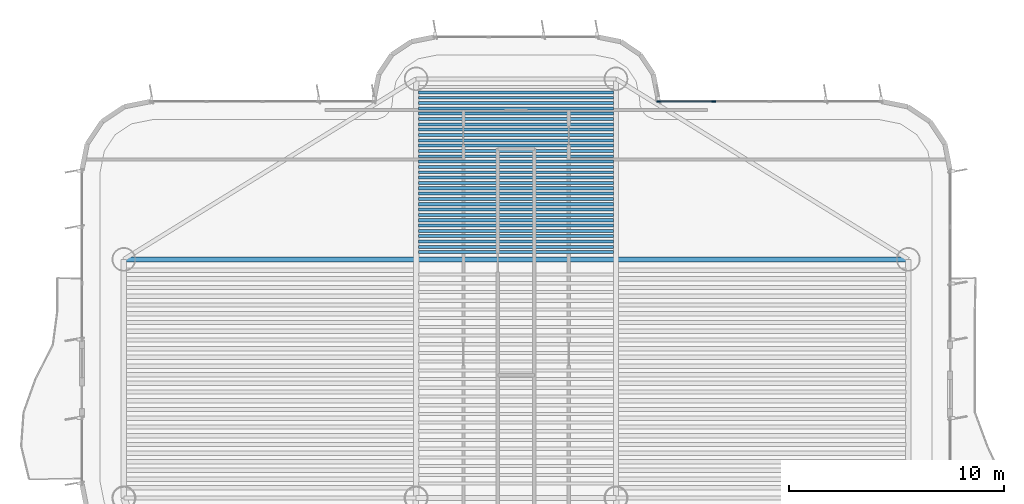
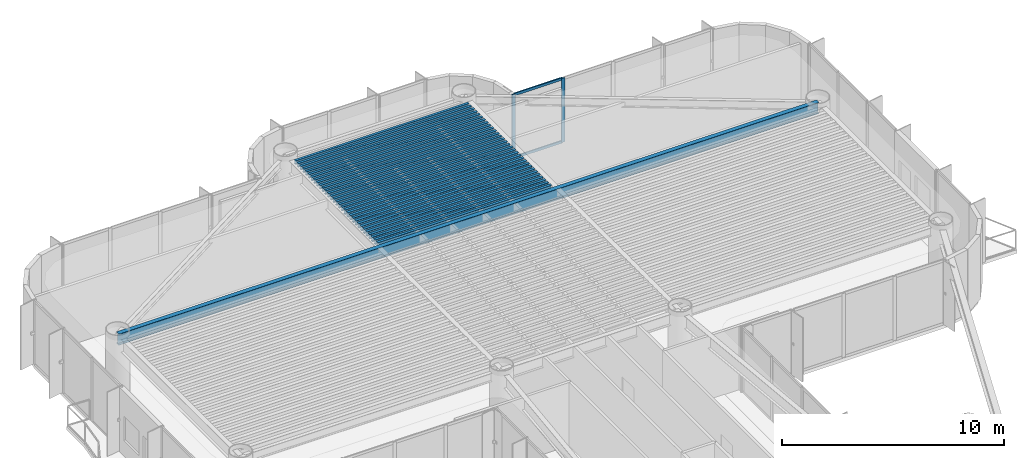
# One storey, part 6 of 13: 32 beams, 4 members, 1 element without a shape of its own.
"""IFC4 building model written with IfcOpenShell, lengths in metres."""

from ifc_helpers import new_model, si_unit, direction, frame, origin, origin_2d, place, context, subcontext, project, spatial, rectangle, i_section, extrude, source, transform, mapped, material, layer, layer_set, material_profile, profile_set, type_object, element, aggregate, save


model = new_model("IFC4")

# Units and contexts
model_context = context("Model", 3, precision=1e-05, world=origin(), true_north=direction((0.0, 1.0)))
body_context = subcontext(model_context, "Body", "Model", "MODEL_VIEW")
ifc_project = project(units=[si_unit("LENGTHUNIT", "METRE"), si_unit("AREAUNIT", "SQUARE_METRE"), si_unit("VOLUMEUNIT", "CUBIC_METRE"), si_unit("PLANEANGLEUNIT", "RADIAN"), si_unit("MASSUNIT", "GRAM", prefix="KILO")], contexts=[model_context])

# Site, building, storey
site_placement = place(None, origin())
site = spatial("IfcSite", under=ifc_project, at=site_placement, CompositionType="ELEMENT")
building_placement = place(site_placement, origin())
building = spatial("IfcBuilding", under=site, at=building_placement, Name="Brelvock Crest Care Tower", CompositionType="ELEMENT")
storey_placement = place(building_placement, frame((0.0, 0.0, 186.659912109375)))
storey = spatial("IfcBuildingStorey", under=building, at=storey_placement, Name="L47", CompositionType="ELEMENT", Elevation=186.659912109375)

# Beams
ifc_material_1 = material(Name="Steel Grade 350", Category="steel")
ifc_material_profile_1 = material_profile(ifc_material_1, i_section(OverallWidth=0.14599609375, OverallDepth=0.256103515625, WebThickness=0.00634765625, FlangeThickness=0.010986328125, FilletRadius=0.0087890625, at=origin_2d()), Name="250UB37.3")
ifc_profile_set_1 = profile_set([ifc_material_profile_1], Name="Steel Grade 350")
beam_type_1 = type_object("IfcBeamType", Name="BM-J3", PredefinedType="JOIST", material=ifc_profile_set_1)
shared_shape_1 = source(origin(), body_context, "Body", "SweptSolid", [
    extrude(i_section(OverallWidth=0.14599609375, OverallDepth=0.256103515625, WebThickness=0.00634765625, FlangeThickness=0.010986328125, FilletRadius=0.0087890625, at=origin_2d()), origin(), (0.0, 0.0, 1.0), 9.06982421875),
])
for number, where, z_axis, x_axis, name in (
    (1, (31.465087890625, 46.385986328125, 3.402099609375), (1.0, 0.0, 0.0), (0.0, 1.0, 0.0), "BM-JN-L47-1"),
    (2, (31.465087890625, 46.6337890625, 3.402099609375), (1.0, 0.0, 0.0), (0.0, 1.0, 0.0), "BM-JN-L47-2"),
    (3, (31.465087890625, 46.881591796875, 3.402099609375), (1.0, 0.0, 0.0), (0.0, 1.0, 0.0), "BM-JN-L47-3"),
    (4, (31.465087890625, 47.12939453125, 3.402099609375), (1.0, 0.0, 0.0), (0.0, 1.0, 0.0), "BM-JN-L47-4"),
    (5, (31.465087890625, 47.377197265625, 3.402099609375), (1.0, 0.0, 0.0), (0.0, 1.0, 0.0), "BM-JN-L47-5"),
    (6, (31.465087890625, 47.625, 3.402099609375), (1.0, 0.0, 0.0), (0.0, 1.0, 0.0), "BM-JN-L47-6"),
    (7, (31.465087890625, 47.872802734375, 3.402099609375), (1.0, 0.0, 0.0), (0.0, 1.0, 0.0), "BM-JN-L47-7"),
    (8, (31.465087890625, 48.12060546875, 3.402099609375), (1.0, 0.0, 0.0), (0.0, 1.0, 0.0), "BM-JN-L47-8"),
    (9, (31.465087890625, 48.368408203125, 3.402099609375), (1.0, 0.0, 0.0), (0.0, 1.0, 0.0), "BM-JN-L47-9"),
    (10, (31.465087890625, 48.6162109375, 3.402099609375), (1.0, 0.0, 0.0), (0.0, 1.0, 0.0), "BM-JN-L47-10"),
    (11, (31.465087890625, 48.864013671875, 3.402099609375), (1.0, 0.0, 0.0), (0.0, 1.0, 0.0), "BM-JN-L47-11"),
    (12, (31.465087890625, 49.11181640625, 3.402099609375), (1.0, 0.0, 0.0), (0.0, 1.0, 0.0), "BM-JN-L47-12"),
    (13, (31.465087890625, 49.359619140625, 3.402099609375), (1.0, 0.0, 0.0), (0.0, 1.0, 0.0), "BM-JN-L47-13"),
):
    element("IfcBeam", number, at=place(storey_placement, frame(where, z_axis=z_axis, x_axis=x_axis)), inside=storey, type_object=beam_type_1, Name=name, PredefinedType="JOIST", context=body_context, shape_type="MappedRepresentation", body=[
        mapped(shared_shape_1, transform((0.0, 0.0, 0.0), x_axis=(1.0, 0.0, 0.0), y_axis=(0.0, 1.0, 0.0), z_axis=(0.0, 0.0, 1.0), scale=1.0)),
    ])
ifc_material_profile_2 = material_profile(ifc_material_1, i_section(OverallWidth=0.134033203125, OverallDepth=0.20703125, WebThickness=0.00634765625, FlangeThickness=0.009521484375, FilletRadius=0.0087890625, at=origin_2d()), Name="200UB29.8")
ifc_profile_set_2 = profile_set([ifc_material_profile_2], Name="Steel Grade 350")
beam_type_2 = type_object("IfcBeamType", Name="BM-J4", PredefinedType="JOIST", material=ifc_profile_set_2)
shared_shape_2 = source(origin(), body_context, "Body", "SweptSolid", [
    extrude(i_section(OverallWidth=0.134033203125, OverallDepth=0.20703125, WebThickness=0.00634765625, FlangeThickness=0.009521484375, FilletRadius=0.0087890625, at=origin_2d()), origin(), (0.0, 0.0, 1.0), 9.06982421875),
])
for number, where, z_axis, x_axis, name in (
    (14, (31.465087890625, 49.607421875, 3.426513671875), (1.0, 0.0, 0.0), (0.0, 1.0, 0.0), "BM-JN-L47-14"),
    (15, (31.465087890625, 49.855224609375, 3.426513671875), (1.0, 0.0, 0.0), (0.0, 1.0, 0.0), "BM-JN-L47-15"),
    (16, (31.465087890625, 50.10302734375, 3.426513671875), (1.0, 0.0, 0.0), (0.0, 1.0, 0.0), "BM-JN-L47-16"),
    (17, (31.465087890625, 50.350830078125, 3.426513671875), (1.0, 0.0, 0.0), (0.0, 1.0, 0.0), "BM-JN-L47-17"),
    (18, (31.465087890625, 50.5986328125, 3.426513671875), (1.0, 0.0, 0.0), (0.0, 1.0, 0.0), "BM-JN-L47-18"),
    (19, (31.465087890625, 50.846435546875, 3.426513671875), (1.0, 0.0, 0.0), (0.0, 1.0, 0.0), "BM-JN-L47-19"),
    (20, (31.465087890625, 51.09423828125, 3.426513671875), (1.0, 0.0, 0.0), (0.0, 1.0, 0.0), "BM-JN-L47-20"),
    (21, (31.465087890625, 51.342041015625, 3.426513671875), (1.0, 0.0, 0.0), (0.0, 1.0, 0.0), "BM-JN-L47-21"),
    (22, (31.465087890625, 51.58984375, 3.426513671875), (1.0, 0.0, 0.0), (0.0, 1.0, 0.0), "BM-JN-L47-22"),
    (23, (31.465087890625, 51.837646484375, 3.426513671875), (1.0, 0.0, 0.0), (0.0, 1.0, 0.0), "BM-JN-L47-23"),
    (24, (31.465087890625, 52.08544921875, 3.426513671875), (1.0, 0.0, 0.0), (0.0, 1.0, 0.0), "BM-JN-L47-24"),
    (25, (31.465087890625, 52.333251953125, 3.426513671875), (1.0, 0.0, 0.0), (0.0, 1.0, 0.0), "BM-JN-L47-25"),
    (26, (31.465087890625, 52.5810546875, 3.426513671875), (1.0, 0.0, 0.0), (0.0, 1.0, 0.0), "BM-JN-L47-26"),
    (27, (31.465087890625, 52.828857421875, 3.426513671875), (1.0, 0.0, 0.0), (0.0, 1.0, 0.0), "BM-JN-L47-27"),
    (28, (31.465087890625, 53.07666015625, 3.426513671875), (1.0, 0.0, 0.0), (0.0, 1.0, 0.0), "BM-JN-L47-28"),
    (29, (31.465087890625, 53.324462890625, 3.426513671875), (1.0, 0.0, 0.0), (0.0, 1.0, 0.0), "BM-JN-L47-29"),
    (30, (31.465087890625, 53.572265625, 3.426513671875), (1.0, 0.0, 0.0), (0.0, 1.0, 0.0), "BM-JN-L47-30"),
    (31, (31.465087890625, 53.820068359375, 3.426513671875), (1.0, 0.0, 0.0), (0.0, 1.0, 0.0), "BM-JN-L47-31"),
):
    element("IfcBeam", number, at=place(storey_placement, frame(where, z_axis=z_axis, x_axis=x_axis)), inside=storey, type_object=beam_type_2, Name=name, PredefinedType="JOIST", context=body_context, shape_type="MappedRepresentation", body=[
        mapped(shared_shape_2, transform((0.0, 0.0, 0.0), x_axis=(1.0, 0.0, 0.0), y_axis=(0.0, 1.0, 0.0), z_axis=(0.0, 0.0, 1.0), scale=1.0)),
    ])
ifc_material_profile_3 = material_profile(ifc_material_1, i_section(OverallWidth=0.22900390625, OverallDepth=0.612060546875, WebThickness=0.011962890625, FlangeThickness=0.01953125, FilletRadius=0.013916015625, at=origin_2d()), Name="610UB125")
ifc_profile_set_3 = profile_set([ifc_material_profile_3], Name="Steel Grade 350")
beam_type_3 = type_object("IfcBeamType", Name="BM-G1", PredefinedType="BEAM", material=ifc_profile_set_3)
shared_shape_3 = source(origin(), body_context, "Body", "SweptSolid", [
    extrude(i_section(OverallWidth=0.22900390625, OverallDepth=0.612060546875, WebThickness=0.011962890625, FlangeThickness=0.01953125, FilletRadius=0.013916015625, at=origin_2d()), origin(), (0.0, 0.0, 1.0), 36.5),
])
beam_placement = place(storey_placement, frame((17.75, 46.050048828125, 3.22412109375), z_axis=(1.0, 0.0, 0.0), x_axis=(0.0, 1.0, 0.0)))
element("IfcBeam", 32, at=beam_placement, inside=storey, type_object=beam_type_3, Name="BM-TWR-L47-11", PredefinedType="BEAM", context=body_context, shape_type="MappedRepresentation", body=[
    mapped(shared_shape_3, transform((0.0, 0.0, 0.0), x_axis=(1.0, 0.0, 0.0), y_axis=(0.0, 1.0, 0.0), z_axis=(0.0, 0.0, 1.0), scale=1.0)),
])

# Curtain wall, members
ifc_material_2 = material(Name="Dark Glass Double Glazed Low-E", Category="glass")
ifc_layer = layer(ifc_material_2, 0.22509765625, Name="CWS-4")
ifc_layer_set = layer_set([ifc_layer], Name="Dark Glass Double Glazed Low-E")
curtain_wall_type = type_object("IfcCurtainWallType", Name="CWS-4", PredefinedType="NOTDEFINED", material=ifc_layer_set)
curtain_wall_placement = place(storey_placement, origin())
curtain_wall = element("IfcCurtainWall", 33, at=curtain_wall_placement, inside=storey, type_object=curtain_wall_type, Name="L47 Curtain Wall E34", PredefinedType="NOTDEFINED")
ifc_material_3 = material(Name="Aluminium 6063-T6", Category="aluminium")
ifc_material_profile_4 = material_profile(ifc_material_3, rectangle(XDim=0.06005859375, YDim=0.179931640625, at=origin_2d()), Name="ALU60x180")
ifc_profile_set_4 = profile_set([ifc_material_profile_4], Name="Aluminium 6063-T6")
member_type_1 = type_object("IfcMemberType", Name="CWM-2", PredefinedType="MULLION", material=ifc_profile_set_4)
shared_shape_4 = source(origin(), body_context, "Body", "SweptSolid", [
    extrude(rectangle(XDim=0.06005859375, YDim=0.179931640625, at=origin_2d()), origin(), (0.0, 0.0, 1.0), 3.530029296875),
])
member_1_placement = place(storey_placement, frame((42.6298828125, 53.39990234375, 0.0), z_axis=(0.0, 0.0, 1.0), x_axis=(0.0, 1.0, 0.0)))
member_1 = element("IfcMember", 34, at=member_1_placement, type_object=member_type_1, Name="CW-4 mullion 1", PredefinedType="MULLION", context=body_context, shape_type="MappedRepresentation", body=[
    mapped(shared_shape_4, transform((0.0, 0.0, 0.0), x_axis=(1.0, 0.0, 0.0), y_axis=(0.0, 1.0, 0.0), z_axis=(0.0, 0.0, 1.0), scale=1.0)),
])
member_2_placement = place(storey_placement, frame((45.199951171875, 53.39990234375, 0.0), z_axis=(0.0, 0.0, 1.0), x_axis=(0.0, 1.0, 0.0)))
member_2 = element("IfcMember", 35, at=member_2_placement, type_object=member_type_1, Name="CW-4 mullion 2", PredefinedType="MULLION", context=body_context, shape_type="MappedRepresentation", body=[
    mapped(shared_shape_4, transform((0.0, 0.0, 0.0), x_axis=(1.0, 0.0, 0.0), y_axis=(0.0, 1.0, 0.0), z_axis=(0.0, 0.0, 1.0), scale=1.0)),
])
ifc_material_profile_5 = material_profile(ifc_material_3, rectangle(XDim=0.06005859375, YDim=0.139892578125, at=origin_2d()), Name="ALU60x140")
ifc_profile_set_5 = profile_set([ifc_material_profile_5], Name="Aluminium 6063-T6")
member_type_2 = type_object("IfcMemberType", Name="CWT-2", PredefinedType="USERDEFINED", material=ifc_profile_set_5)
shared_shape_5 = source(origin(), body_context, "Body", "SweptSolid", [
    extrude(rectangle(XDim=0.06005859375, YDim=0.139892578125, at=origin_2d()), origin(), (0.0, 0.0, 1.0), 2.510009765625),
])
member_3_placement = place(storey_placement, frame((42.659912109375, 53.39990234375, 0.030029296875), z_axis=(1.0, 0.0, 0.0), x_axis=(0.0, 1.0, 0.0)))
member_3 = element("IfcMember", 36, at=member_3_placement, type_object=member_type_2, Name="CW-4 transom 1.1", ObjectType="TRANSOM", PredefinedType="USERDEFINED", context=body_context, shape_type="MappedRepresentation", body=[
    mapped(shared_shape_5, transform((0.0, 0.0, 0.0), x_axis=(1.0, 0.0, 0.0), y_axis=(0.0, 1.0, 0.0), z_axis=(0.0, 0.0, 1.0), scale=1.0)),
])
member_4_placement = place(storey_placement, frame((42.659912109375, 53.39990234375, 3.5), z_axis=(1.0, 0.0, 0.0), x_axis=(0.0, 1.0, 0.0)))
member_4 = element("IfcMember", 37, at=member_4_placement, type_object=member_type_2, Name="CW-4 transom 1.2", ObjectType="TRANSOM", PredefinedType="USERDEFINED", context=body_context, shape_type="MappedRepresentation", body=[
    mapped(shared_shape_5, transform((0.0, 0.0, 0.0), x_axis=(1.0, 0.0, 0.0), y_axis=(0.0, 1.0, 0.0), z_axis=(0.0, 0.0, 1.0), scale=1.0)),
])
aggregate(curtain_wall, [member_1, member_2, member_3, member_4])

save(model, "model.ifc")
